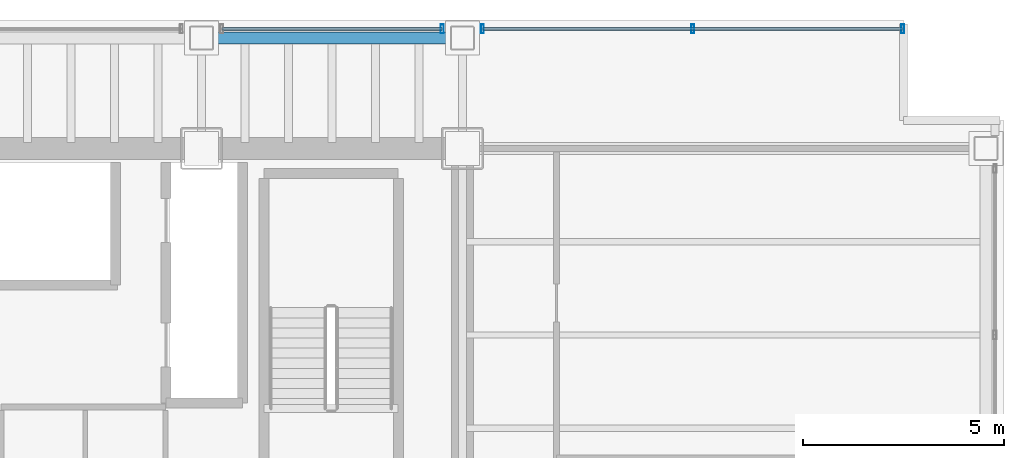
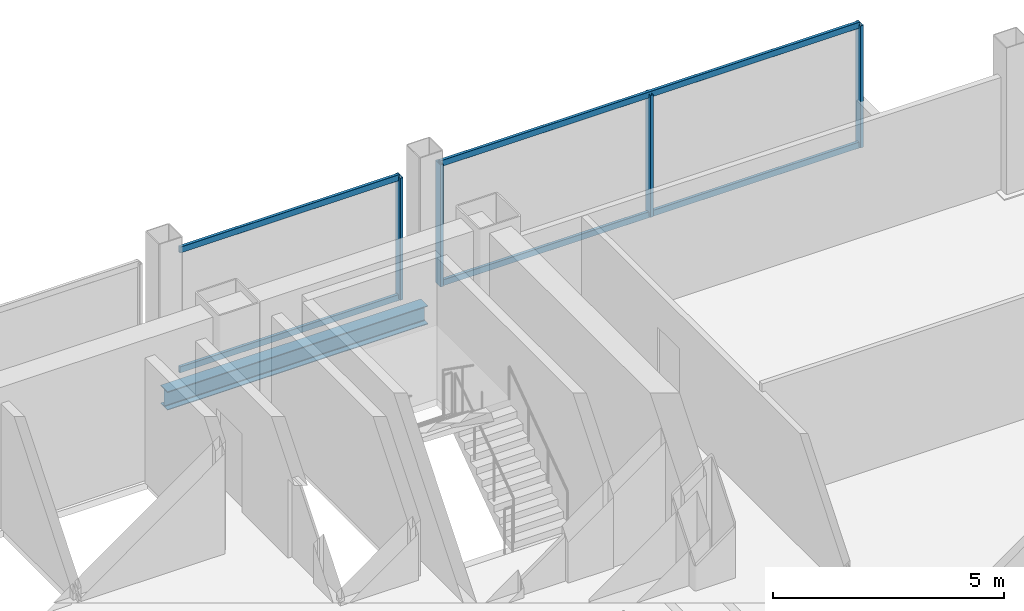
# One storey, part 16 of 21: 8 members, 1 beam, 2 elements without a shape of their own.
"""IFC4 building model written with IfcOpenShell, lengths in metres."""

from ifc_helpers import new_model, si_unit, direction, frame, origin, origin_2d, place, context, subcontext, project, spatial, hollow_rectangle, i_section, extrude, material, material_profile, profile_set, type_object, element, aggregate, save


model = new_model("IFC4")

# Units and contexts
model_context = context("Model", 3, precision=1e-05, world=origin(), true_north=direction((0.0, 1.0)))
body_context = subcontext(model_context, "Body", "Model", "MODEL_VIEW")
ifc_project = project(units=[si_unit("LENGTHUNIT", "METRE"), si_unit("AREAUNIT", "SQUARE_METRE"), si_unit("VOLUMEUNIT", "CUBIC_METRE"), si_unit("PLANEANGLEUNIT", "RADIAN"), si_unit("MASSUNIT", "GRAM", prefix="KILO")], contexts=[model_context])

# Site, building, storey
site_placement = place(None, origin())
site = spatial("IfcSite", under=ifc_project, at=site_placement, CompositionType="ELEMENT")
building_placement = place(site_placement, origin())
building = spatial("IfcBuilding", under=site, at=building_placement, Name="Noeulbin Bourse Tower", CompositionType="ELEMENT")
storey_placement = place(building_placement, frame((0.0, 0.0, 92.800048828125)))
storey = spatial("IfcBuildingStorey", under=building, at=storey_placement, Name="L23", CompositionType="ELEMENT", Elevation=92.800048828125)

# Beam
ifc_material_1 = material(Name="Steel S355", Category="steel")
ifc_material_profile_1 = material_profile(ifc_material_1, i_section(OverallWidth=0.300048828125, OverallDepth=0.488037109375, WebThickness=0.010986328125, FlangeThickness=0.01806640625, FilletRadius=0.02197265625, at=origin_2d()), Name="H-488x300x11x18", Category="LoadBearing")
ifc_profile_set_1 = profile_set([ifc_material_profile_1], Name="Steel S355")
beam_type = type_object("IfcBeamType", Name="BM-SPN-488", PredefinedType="SPANDREL", material=ifc_profile_set_1)
beam_placement = place(storey_placement, frame((37.5, 41.050048828125, -0.424072265625), z_axis=(1.0, 0.0, 0.0), x_axis=(0.0, 1.0, 0.0)))
element("IfcBeam", 1, at=beam_placement, inside=storey, type_object=beam_type, Name="North Spandrel L23-4", PredefinedType="SPANDREL", context=body_context, shape_type="SweptSolid", body=[
    extrude(i_section(OverallWidth=0.300048828125, OverallDepth=0.488037109375, WebThickness=0.010986328125, FlangeThickness=0.01806640625, FilletRadius=0.02197265625, at=origin_2d()), origin(), (0.0, 0.0, 1.0), 6.5),
])

# Curtain wall, member
ifc_material_2 = material(Name="Dark Solar-Control Double Glazing", Category="glass")
curtain_wall_type = type_object("IfcCurtainWallType", Name="CW-SYS-2", PredefinedType="NOTDEFINED", material=ifc_material_2)
curtain_wall_1_placement = place(storey_placement, origin())
curtain_wall_1 = element("IfcCurtainWall", 2, at=curtain_wall_1_placement, inside=storey, type_object=curtain_wall_type, Name="Unitised Curtain Wall CW-L23-N-S5", PredefinedType="NOTDEFINED")
ifc_material_3 = material(Name="Anodised Aluminium 6063-T6", Category="aluminium")
ifc_material_profile_2 = material_profile(ifc_material_3, hollow_rectangle(XDim=0.074951171875, YDim=0.219970703125, WallThickness=0.0048828125, InnerFilletRadius=0.00244140625, OuterFilletRadius=0.0048828125, at=origin_2d()), Name="ALU-MULL-75x220x5", Category="LoadBearing")
ifc_profile_set_2 = profile_set([ifc_material_profile_2], Name="Anodised Aluminium 6063-T6")
member_type_1 = type_object("IfcMemberType", Name="CW-SYS-2-MUL", PredefinedType="MULLION", material=ifc_profile_set_2)
member_1_placement = place(storey_placement, frame((43.5, 41.280029296875, -0.02001953125), z_axis=(0.0, 0.0, 1.0), x_axis=(1.0, 0.0, 0.0)))
member_1 = element("IfcMember", 3, at=member_1_placement, type_object=member_type_1, Name="Curtain Wall Mullion CW-L23-N-S5-M01", PredefinedType="MULLION", context=body_context, shape_type="SweptSolid", body=[
    extrude(hollow_rectangle(XDim=0.074951171875, YDim=0.219970703125, WallThickness=0.0048828125, InnerFilletRadius=0.00244140625, OuterFilletRadius=0.0048828125, at=origin_2d()), origin(), (0.0, 0.0, 1.0), 3.219970703125),
])

# Curtain wall, members
curtain_wall_2_placement = place(storey_placement, origin())
curtain_wall_2 = element("IfcCurtainWall", 4, at=curtain_wall_2_placement, inside=storey, type_object=curtain_wall_type, Name="Unitised Curtain Wall CW-L23-N-S6", PredefinedType="NOTDEFINED")
member_2_placement = place(storey_placement, frame((44.5, 41.280029296875, -0.02001953125), z_axis=(0.0, 0.0, 1.0), x_axis=(1.0, 0.0, 0.0)))
member_2 = element("IfcMember", 5, at=member_2_placement, type_object=member_type_1, Name="Curtain Wall Mullion CW-L23-N-S6-M00", PredefinedType="MULLION", context=body_context, shape_type="SweptSolid", body=[
    extrude(hollow_rectangle(XDim=0.074951171875, YDim=0.219970703125, WallThickness=0.0048828125, InnerFilletRadius=0.00244140625, OuterFilletRadius=0.0048828125, at=origin_2d()), origin(), (0.0, 0.0, 1.0), 3.219970703125),
])
member_3_placement = place(storey_placement, frame((49.739990234375, 41.280029296875, -0.02001953125), z_axis=(0.0, 0.0, 1.0), x_axis=(1.0, 0.0, 0.0)))
member_3 = element("IfcMember", 6, at=member_3_placement, type_object=member_type_1, Name="Curtain Wall Mullion CW-L23-N-S6-M01", PredefinedType="MULLION", context=body_context, shape_type="SweptSolid", body=[
    extrude(hollow_rectangle(XDim=0.074951171875, YDim=0.219970703125, WallThickness=0.0048828125, InnerFilletRadius=0.00244140625, OuterFilletRadius=0.0048828125, at=origin_2d()), origin(), (0.0, 0.0, 1.0), 3.219970703125),
])
member_4_placement = place(storey_placement, frame((54.97998046875, 41.280029296875, -0.02001953125), z_axis=(0.0, 0.0, 1.0), x_axis=(1.0, 0.0, 0.0)))
member_4 = element("IfcMember", 7, at=member_4_placement, type_object=member_type_1, Name="Curtain Wall Mullion CW-L23-N-S6-M02", PredefinedType="MULLION", context=body_context, shape_type="SweptSolid", body=[
    extrude(hollow_rectangle(XDim=0.074951171875, YDim=0.219970703125, WallThickness=0.0048828125, InnerFilletRadius=0.00244140625, OuterFilletRadius=0.0048828125, at=origin_2d()), origin(), (0.0, 0.0, 1.0), 3.219970703125),
])

# Member
ifc_material_profile_3 = material_profile(ifc_material_3, hollow_rectangle(XDim=0.074951171875, YDim=0.159912109375, WallThickness=0.0048828125, InnerFilletRadius=0.00244140625, OuterFilletRadius=0.0048828125, at=origin_2d()), Name="ALU-TRAN-75x160x5", Category="LoadBearing")
ifc_profile_set_3 = profile_set([ifc_material_profile_3], Name="Anodised Aluminium 6063-T6")
member_type_2 = type_object("IfcMemberType", Name="CW-SYS-2-TRN", PredefinedType="USERDEFINED", material=ifc_profile_set_3)
member_5_placement = place(storey_placement, frame((38.010009765625, 41.280029296875, 0.010009765625), z_axis=(1.0, 0.0, 0.0), x_axis=(0.0, 1.0, 0.0)))
member_5 = element("IfcMember", 8, at=member_5_placement, type_object=member_type_2, Name="Curtain Wall Transom CW-L23-N-S5-T00", ObjectType="TRANSOM", PredefinedType="USERDEFINED", context=body_context, shape_type="SweptSolid", body=[
    extrude(hollow_rectangle(XDim=0.074951171875, YDim=0.159912109375, WallThickness=0.0048828125, InnerFilletRadius=0.00244140625, OuterFilletRadius=0.0048828125, at=origin_2d()), origin(), (0.0, 0.0, 1.0), 5.47998046875),
])

member_6_placement = place(storey_placement, frame((38.010009765625, 41.280029296875, 3.169921875), z_axis=(1.0, 0.0, 0.0), x_axis=(0.0, 1.0, 0.0)))
member_6 = element("IfcMember", 9, at=member_6_placement, type_object=member_type_2, Name="Curtain Wall Transom CW-L23-N-S5-T01", ObjectType="TRANSOM", PredefinedType="USERDEFINED", context=body_context, shape_type="SweptSolid", body=[
    extrude(hollow_rectangle(XDim=0.074951171875, YDim=0.159912109375, WallThickness=0.0048828125, InnerFilletRadius=0.00244140625, OuterFilletRadius=0.0048828125, at=origin_2d()), origin(), (0.0, 0.0, 1.0), 5.47998046875),
])

aggregate(curtain_wall_1, [member_1, member_5, member_6])

member_7_placement = place(storey_placement, frame((44.510009765625, 41.280029296875, 0.010009765625), z_axis=(1.0, 0.0, 0.0), x_axis=(0.0, 1.0, 0.0)))
member_7 = element("IfcMember", 10, at=member_7_placement, type_object=member_type_2, Name="Curtain Wall Transom CW-L23-N-S6-T00", ObjectType="TRANSOM", PredefinedType="USERDEFINED", context=body_context, shape_type="SweptSolid", body=[
    extrude(hollow_rectangle(XDim=0.074951171875, YDim=0.159912109375, WallThickness=0.0048828125, InnerFilletRadius=0.00244140625, OuterFilletRadius=0.0048828125, at=origin_2d()), origin(), (0.0, 0.0, 1.0), 10.4599609375),
])

member_8_placement = place(storey_placement, frame((44.510009765625, 41.280029296875, 3.169921875), z_axis=(1.0, 0.0, 0.0), x_axis=(0.0, 1.0, 0.0)))
member_8 = element("IfcMember", 11, at=member_8_placement, type_object=member_type_2, Name="Curtain Wall Transom CW-L23-N-S6-T01", ObjectType="TRANSOM", PredefinedType="USERDEFINED", context=body_context, shape_type="SweptSolid", body=[
    extrude(hollow_rectangle(XDim=0.074951171875, YDim=0.159912109375, WallThickness=0.0048828125, InnerFilletRadius=0.00244140625, OuterFilletRadius=0.0048828125, at=origin_2d()), origin(), (0.0, 0.0, 1.0), 10.4599609375),
])

aggregate(curtain_wall_2, [member_2, member_3, member_4, member_7, member_8])

save(model, "model.ifc")
